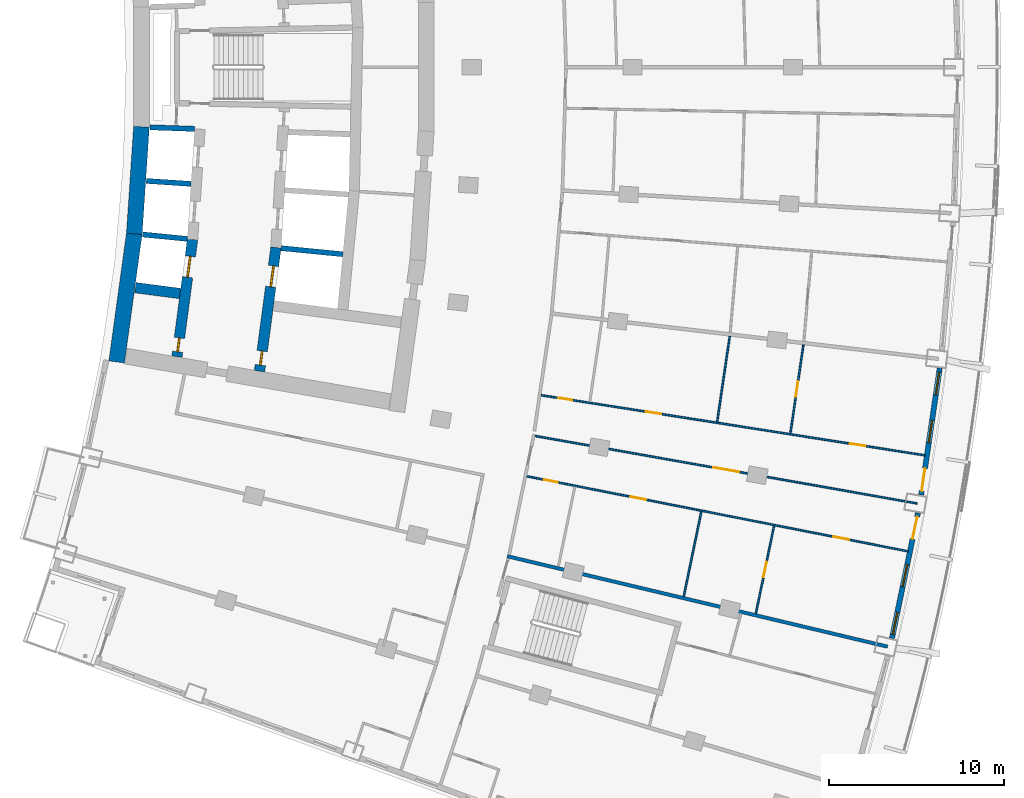
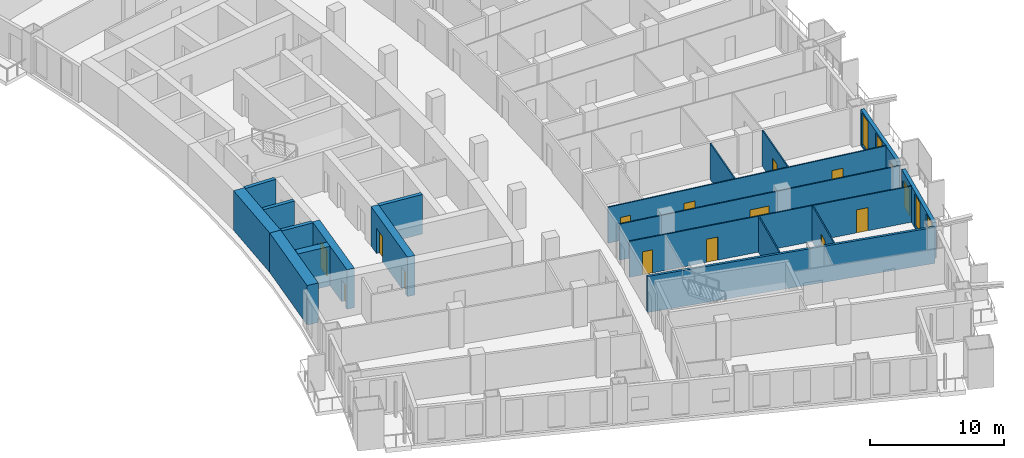
# One storey, part 15 of 25: 19 walls, 15 doors, 4 windows, 19 openings.
"""IFC4 building model written with IfcOpenShell, lengths in metres."""

from ifc_helpers import new_model, si_unit, direction, frame, frame_2d, origin, place, context, subcontext, project, spatial, rectangle, extrude, material, layer, layer_set, type_object, element, fill, save


model = new_model("IFC4")

# Units and contexts
model_context = context("Model", 3, precision=1e-05, world=origin(), true_north=direction((0.0, 1.0)))
body_context = subcontext(model_context, "Body", "Model", "MODEL_VIEW")
ifc_project = project(units=[si_unit("LENGTHUNIT", "METRE"), si_unit("AREAUNIT", "SQUARE_METRE"), si_unit("VOLUMEUNIT", "CUBIC_METRE"), si_unit("PLANEANGLEUNIT", "RADIAN"), si_unit("MASSUNIT", "GRAM", prefix="KILO")], contexts=[model_context])

# Site, building, storey
site_placement = place(None, origin())
site = spatial("IfcSite", under=ifc_project, at=site_placement, CompositionType="ELEMENT")
building_placement = place(site_placement, origin())
building = spatial("IfcBuilding", under=site, at=building_placement, Name="Alderwake Tower", CompositionType="ELEMENT")
storey_placement = place(building_placement, frame((0.0, 0.0, 35.60009765625)))
storey = spatial("IfcBuildingStorey", under=building, at=storey_placement, Name="L07", CompositionType="ELEMENT", Elevation=35.60009765625)

# Walls
ifc_material_1 = material(Name="Concrete C70/85", Category="concrete")
ifc_layer_1 = layer(ifc_material_1, 0.89990234375)
ifc_layer_set_1 = layer_set([ifc_layer_1], Name="Core wall outer 900 C70-85")
wall_type_1 = type_object("IfcWallType", Name="Core wall outer 900 C70-85", PredefinedType="SHEAR", material=ifc_layer_set_1)
wall_1_placement = place(storey_placement, frame((15.46923828125, 44.1201171875, 0.0), z_axis=(0.0, 0.0, 1.0), x_axis=(0.136337234661, 0.990662484626, 0.0)))
element("IfcWall", 1, at=wall_1_placement, inside=storey, type_object=wall_type_1, Name="Core wall CW.042", PredefinedType="SHEAR", context=body_context, shape_type="SweptSolid", body=[
    extrude(rectangle(XDim=7.431396484375, YDim=0.89990234375, at=frame_2d((3.7158203125, 0.0))), origin(), (0.0, 0.0, 1.0), 3.599853515625),
])
wall_2_placement = place(storey_placement, frame((16.47900390625, 51.449951171875, 0.0), z_axis=(0.0, 0.0, 1.0), x_axis=(0.06689316208, 0.997760143956, 0.0)))
element("IfcWall", 2, at=wall_2_placement, inside=storey, type_object=wall_type_1, Name="Core wall CW.041", PredefinedType="SHEAR", context=body_context, shape_type="SweptSolid", body=[
    extrude(rectangle(XDim=6.149658203125, YDim=0.89990234375, at=frame_2d((3.07470703125, 0.0))), origin(), (0.0, 0.0, 1.0), 3.599853515625),
])
ifc_material_2 = material(Name="Concrete C70/85", Category="concrete")
ifc_layer_2 = layer(ifc_material_2, 0.300048828125)
ifc_layer_set_2 = layer_set([ifc_layer_2], Name="Core wall shaft 300 C70-85")
wall_type_2 = type_object("IfcWallType", Name="Core wall shaft 300 C70-85", PredefinedType="SHEAR", material=ifc_layer_set_2)
wall_3_placement = place(storey_placement, frame((16.9580078125, 51.4189453125, 0.0), z_axis=(0.0, 0.0, 1.0), x_axis=(0.995153154577, -0.098337169657, 0.0)))
element("IfcWall", 3, at=wall_3_placement, inside=storey, type_object=wall_type_2, Name="Core wall CW.065", PredefinedType="SHEAR", context=body_context, shape_type="SweptSolid", body=[
    extrude(rectangle(XDim=2.569580078125, YDim=0.300048828125, at=frame_2d((1.28466796875, 0.0))), origin(), (0.0, 0.0, 1.0), 3.599853515625),
])
wall_4_placement = place(storey_placement, frame((24.889404296875, 50.635009765625, 0.0), z_axis=(0.0, 0.0, 1.0), x_axis=(0.995157756799, -0.098290584916, 0.0)))
element("IfcWall", 4, at=wall_4_placement, inside=storey, type_object=wall_type_2, Name="Core wall CW.066", PredefinedType="SHEAR", context=body_context, shape_type="SweptSolid", body=[
    extrude(rectangle(XDim=3.546875, YDim=0.300048828125, at=frame_2d((1.7734375, 0.0))), origin(), (0.0, 0.0, 1.0), 3.599853515625),
])
wall_5_placement = place(storey_placement, frame((17.16357421875, 54.486083984375, 0.0), z_axis=(0.0, 0.0, 1.0), x_axis=(0.997758581961, -0.066916456292, 0.0)))
element("IfcWall", 5, at=wall_5_placement, inside=storey, type_object=wall_type_2, Name="Core wall CW.079", PredefinedType="SHEAR", context=body_context, shape_type="SweptSolid", body=[
    extrude(rectangle(XDim=2.568603515625, YDim=0.300048828125, at=frame_2d((1.2841796875, 0.0))), origin(), (0.0, 0.0, 1.0), 3.599853515625),
])
wall_6_placement = place(storey_placement, frame((17.369140625, 57.553466796875, 0.0), z_axis=(0.0, 0.0, 1.0), x_axis=(0.99937189907, -0.035437372217, 0.0)))
element("IfcWall", 6, at=wall_6_placement, inside=storey, type_object=wall_type_2, Name="Core wall CW.076", PredefinedType="SHEAR", context=body_context, shape_type="SweptSolid", body=[
    extrude(rectangle(XDim=2.56982421875, YDim=0.300048828125, at=frame_2d((1.284912109375, 0.0))), origin(), (0.0, 0.0, 1.0), 3.599853515625),
])

# Wall, openings, doors
ifc_material_3 = material(Name="Concrete C70/85", Category="concrete")
ifc_layer_3 = layer(ifc_material_3, 0.60009765625)
ifc_layer_set_3 = layer_set([ifc_layer_3], Name="Core wall spine 600 C70-85")
wall_type_3 = type_object("IfcWallType", Name="Core wall spine 600 C70-85", PredefinedType="SHEAR", material=ifc_layer_set_3)
wall_7_placement = place(storey_placement, frame((19.815185546875, 51.14697265625, 0.0), z_axis=(0.0, 0.0, 1.0), x_axis=(-0.131854836214, -0.991269036219, 0.0)))
wall_7 = element("IfcWall", 7, at=wall_7_placement, inside=storey, type_object=wall_type_3, Name="Core wall CW.033", PredefinedType="SHEAR", context=body_context, shape_type="SweptSolid", body=[
    extrude(rectangle(XDim=6.782470703125, YDim=0.60009765625, at=frame_2d((3.39111328125, 0.0))), origin(), (0.0, 0.0, 1.0), 3.599853515625),
])
opening_1_placement = place(wall_7_placement, frame((0.9921875, 0.0, 0.0)))
opening_1 = element("IfcOpeningElement", 8, at=opening_1_placement, cuts=wall_7, Name="Opening LD-LP1", PredefinedType="OPENING", context=body_context, shape_type="SweptSolid", body=[
    extrude(rectangle(XDim=1.199951171875, YDim=2.300048828125, at=frame_2d((0.60009765625, 1.14990234375))), frame((0.0, 0.31005859375, 0.0), z_axis=(0.0, -1.0, 0.0), x_axis=(1.0, 0.0, 0.0)), (0.0, 0.0, 1.0), 0.6201171875),
])
opening_2_placement = place(wall_7_placement, frame((5.699951171875, 0.0, 0.0)))
opening_2 = element("IfcOpeningElement", 9, at=opening_2_placement, cuts=wall_7, Name="Opening C007", PredefinedType="OPENING", context=body_context, shape_type="SweptSolid", body=[
    extrude(rectangle(XDim=0.800048828125, YDim=2.0, at=frame_2d((0.39990234375, 1.0))), frame((0.0, 0.31005859375, 0.0), z_axis=(0.0, -1.0, 0.0), x_axis=(1.0, 0.0, 0.0)), (0.0, 0.0, 1.0), 0.6201171875),
])
ifc_material_4 = material(Name="Stainless steel sliding leaf", Category="steel")
door_type_1 = type_object("IfcDoorType", Name="Lift landing door 1200", OperationType="SLIDING_TO_LEFT", PredefinedType="DOOR", material=ifc_material_4)
door_1_placement = place(opening_1_placement, origin())
door_1 = element("IfcDoor", 10, at=door_1_placement, inside=storey, type_object=door_type_1, Name="Lift landing door LP1", OperationType="SLIDING_TO_LEFT", OverallHeight=2.300048828125, OverallWidth=1.199951171875, PredefinedType="DOOR", context=body_context, shape_type="SweptSolid", body=[
    extrude(rectangle(XDim=1.199951171875, YDim=2.300048828125, at=frame_2d((0.60009765625, 1.14990234375))), frame((0.0, 0.050048828125, 0.0), z_axis=(0.0, -1.0, 0.0), x_axis=(1.0, 0.0, 0.0)), (0.0, 0.0, 1.0), 0.10009765625),
])
fill(opening_1, door_1)
ifc_material_5 = material(Name="Painted steel leaf, rated", Category="steel")
door_type_2 = type_object("IfcDoorType", Name="Riser access door 800", OperationType="SINGLE_SWING_LEFT", PredefinedType="DOOR", material=ifc_material_5)
door_2_placement = place(opening_2_placement, origin())
door_2 = element("IfcDoor", 11, at=door_2_placement, inside=storey, type_object=door_type_2, Name="Riser access door", OperationType="SINGLE_SWING_LEFT", OverallHeight=2.0, OverallWidth=0.800048828125, PredefinedType="DOOR", context=body_context, shape_type="SweptSolid", body=[
    extrude(rectangle(XDim=0.800048828125, YDim=2.0, at=frame_2d((0.39990234375, 1.0))), frame((0.0, 0.050048828125, 0.0), z_axis=(0.0, -1.0, 0.0), x_axis=(1.0, 0.0, 0.0)), (0.0, 0.0, 1.0), 0.10009765625),
])
fill(opening_2, door_2)

wall_8_placement = place(storey_placement, frame((23.647705078125, 43.588134765625, 0.0), z_axis=(0.0, 0.0, 1.0), x_axis=(0.132069785658, 0.991240420744, 0.0)))
wall_8 = element("IfcWall", 12, at=wall_8_placement, inside=storey, type_object=wall_type_3, Name="Core wall CW.047", PredefinedType="SHEAR", context=body_context, shape_type="SweptSolid", body=[
    extrude(rectangle(XDim=7.150390625, YDim=0.60009765625, at=frame_2d((3.5751953125, 0.0))), origin(), (0.0, 0.0, 1.0), 3.599853515625),
])
opening_3_placement = place(wall_8_placement, frame((4.88134765625, 0.0, 0.0)))
opening_3 = element("IfcOpeningElement", 13, at=opening_3_placement, cuts=wall_8, Name="Opening LD-LP4", PredefinedType="OPENING", context=body_context, shape_type="SweptSolid", body=[
    extrude(rectangle(XDim=1.199951171875, YDim=2.300048828125, at=frame_2d((0.60009765625, 1.14990234375))), frame((0.0, 0.31005859375, 0.0), z_axis=(0.0, -1.0, 0.0), x_axis=(1.0, 0.0, 0.0)), (0.0, 0.0, 1.0), 0.6201171875),
])
opening_4_placement = place(wall_8_placement, frame((0.35791015625, 0.0, 0.0)))
opening_4 = element("IfcOpeningElement", 14, at=opening_4_placement, cuts=wall_8, Name="Opening C014", PredefinedType="OPENING", context=body_context, shape_type="SweptSolid", body=[
    extrude(rectangle(XDim=0.800048828125, YDim=2.0, at=frame_2d((0.39990234375, 1.0))), frame((0.0, 0.31005859375, 0.0), z_axis=(0.0, -1.0, 0.0), x_axis=(1.0, 0.0, 0.0)), (0.0, 0.0, 1.0), 0.6201171875),
])
door_3_placement = place(opening_3_placement, origin())
door_3 = element("IfcDoor", 15, at=door_3_placement, inside=storey, type_object=door_type_1, Name="Lift landing door LP4", OperationType="SLIDING_TO_LEFT", OverallHeight=2.300048828125, OverallWidth=1.199951171875, PredefinedType="DOOR", context=body_context, shape_type="SweptSolid", body=[
    extrude(rectangle(XDim=1.199951171875, YDim=2.300048828125, at=frame_2d((0.60009765625, 1.14990234375))), frame((0.0, 0.050048828125, 0.0), z_axis=(0.0, -1.0, 0.0), x_axis=(1.0, 0.0, 0.0)), (0.0, 0.0, 1.0), 0.10009765625),
])
fill(opening_3, door_3)
door_4_placement = place(opening_4_placement, origin())
door_4 = element("IfcDoor", 16, at=door_4_placement, inside=storey, type_object=door_type_2, Name="Riser access door", OperationType="SINGLE_SWING_RIGHT", OverallHeight=2.0, OverallWidth=0.800048828125, PredefinedType="DOOR", context=body_context, shape_type="SweptSolid", body=[
    extrude(rectangle(XDim=0.800048828125, YDim=2.0, at=frame_2d((0.39990234375, 1.0))), frame((0.0, 0.050048828125, 0.0), z_axis=(0.0, -1.0, 0.0), x_axis=(1.0, 0.0, 0.0)), (0.0, 0.0, 1.0), 0.10009765625),
])
fill(opening_4, door_4)

# Wall
wall_9_placement = place(storey_placement, frame((16.5390625, 48.373291015625, 0.0), z_axis=(0.0, 0.0, 1.0), x_axis=(0.99156081818, -0.129642369037, 0.0)))
element("IfcWall", 17, at=wall_9_placement, inside=storey, type_object=wall_type_3, Name="Core wall CW.067", PredefinedType="SHEAR", context=body_context, shape_type="SweptSolid", body=[
    extrude(rectangle(XDim=2.581787109375, YDim=0.60009765625, at=frame_2d((1.291015625, 0.0))), origin(), (0.0, 0.0, 1.0), 3.599853515625),
])

# Wall, openings, door, windows
ifc_material_6 = material(Name="Precast concrete C50/60 spandrel panel", Category="concrete")
ifc_layer_4 = layer(ifc_material_6, 0.300048828125)
ifc_layer_set_4 = layer_set([ifc_layer_4], Name="External wall EW1 Precast concrete C50/60 spandrel")
wall_type_4 = type_object("IfcWallType", Name="External wall EW1 Precast concrete C50/60 spandrel", PredefinedType="SOLIDWALL", material=ifc_layer_set_4)
wall_10_placement = place(storey_placement, frame((59.863525390625, 28.298583984375, 0.0), z_axis=(0.0, 0.0, 1.0), x_axis=(0.202760911141, 0.979228274159, 0.0)))
wall_10 = element("IfcWall", 18, at=wall_10_placement, inside=storey, type_object=wall_type_4, Name="External wall 13", PredefinedType="SOLIDWALL", context=body_context, shape_type="SweptSolid", body=[
    extrude(rectangle(XDim=7.329345703125, YDim=0.300048828125, at=frame_2d((3.66455078125, 0.0))), origin(), (0.0, 0.0, 1.0), 3.27978515625),
])
opening_5_placement = place(wall_10_placement, frame((0.226806640625, 0.0, 0.199951171875)))
opening_5 = element("IfcOpeningElement", 19, at=opening_5_placement, cuts=wall_10, Name="Opening W1", PredefinedType="OPENING", context=body_context, shape_type="SweptSolid", body=[
    extrude(rectangle(XDim=1.300048828125, YDim=2.89990234375, at=frame_2d((0.64990234375, 1.449951171875))), frame((0.0, 0.159912109375, 0.0), z_axis=(0.0, -1.0, 0.0), x_axis=(1.0, 0.0, 0.0)), (0.0, 0.0, 1.0), 0.320068359375),
])
opening_6_placement = place(wall_10_placement, frame((3.0146484375, 0.0, 0.199951171875)))
opening_6 = element("IfcOpeningElement", 20, at=opening_6_placement, cuts=wall_10, Name="Opening W1", PredefinedType="OPENING", context=body_context, shape_type="SweptSolid", body=[
    extrude(rectangle(XDim=1.300048828125, YDim=2.89990234375, at=frame_2d((0.64990234375, 1.449951171875))), frame((0.0, 0.159912109375, 0.0), z_axis=(0.0, -1.0, 0.0), x_axis=(1.0, 0.0, 0.0)), (0.0, 0.0, 1.0), 0.320068359375),
])
opening_7_placement = place(wall_10_placement, frame((5.802490234375, 0.0, 0.0)))
opening_7 = element("IfcOpeningElement", 21, at=opening_7_placement, cuts=wall_10, Name="Opening D04", PredefinedType="OPENING", context=body_context, shape_type="SweptSolid", body=[
    extrude(rectangle(XDim=1.300048828125, YDim=2.39990234375, at=frame_2d((0.64990234375, 1.199951171875))), frame((0.0, 0.159912109375, 0.0), z_axis=(0.0, -1.0, 0.0), x_axis=(1.0, 0.0, 0.0)), (0.0, 0.0, 1.0), 0.320068359375),
])
ifc_material_7 = material(Name="Bronze tinted glass in aluminium frame", Category="aluminium")
door_type_3 = type_object("IfcDoorType", Name="Balcony door BD sliding", OperationType="SLIDING_TO_LEFT", PredefinedType="DOOR", material=ifc_material_7)
door_5_placement = place(opening_7_placement, origin())
door_5 = element("IfcDoor", 22, at=door_5_placement, inside=storey, type_object=door_type_3, Name="Door D04", OperationType="SLIDING_TO_LEFT", OverallHeight=2.39990234375, OverallWidth=1.300048828125, PredefinedType="DOOR", context=body_context, shape_type="SweptSolid", body=[
    extrude(rectangle(XDim=1.300048828125, YDim=2.39990234375, at=frame_2d((0.64990234375, 1.199951171875))), frame((0.0, 0.02490234375, 0.0), z_axis=(0.0, -1.0, 0.0), x_axis=(1.0, 0.0, 0.0)), (0.0, 0.0, 1.0), 0.050048828125),
])
fill(opening_7, door_5)
ifc_material_8 = material(Name="Bronze tinted glass in aluminium frame", Category="aluminium")
window_type = type_object("IfcWindowType", Name="Window W1 tall fixed and vent", PartitioningType="DOUBLE_PANEL_VERTICAL", PredefinedType="WINDOW", material=ifc_material_8)
window_1_placement = place(opening_5_placement, origin())
window_1 = element("IfcWindow", 23, at=window_1_placement, inside=storey, type_object=window_type, Name="Window W1 tall fixed and vent", OverallHeight=2.89990234375, OverallWidth=1.300048828125, PartitioningType="DOUBLE_PANEL_VERTICAL", PredefinedType="WINDOW", context=body_context, shape_type="SweptSolid", body=[
    extrude(rectangle(XDim=1.300048828125, YDim=2.89990234375, at=frame_2d((0.64990234375, 1.449951171875))), frame((0.0, 0.030029296875, 0.0), z_axis=(0.0, -1.0, 0.0), x_axis=(1.0, 0.0, 0.0)), (0.0, 0.0, 1.0), 0.06005859375),
])
fill(opening_5, window_1)
window_2_placement = place(opening_6_placement, origin())
window_2 = element("IfcWindow", 24, at=window_2_placement, inside=storey, type_object=window_type, Name="Window W1 tall fixed and vent", OverallHeight=2.89990234375, OverallWidth=1.300048828125, PartitioningType="DOUBLE_PANEL_VERTICAL", PredefinedType="WINDOW", context=body_context, shape_type="SweptSolid", body=[
    extrude(rectangle(XDim=1.300048828125, YDim=2.89990234375, at=frame_2d((0.64990234375, 1.449951171875))), frame((0.0, 0.030029296875, 0.0), z_axis=(0.0, -1.0, 0.0), x_axis=(1.0, 0.0, 0.0)), (0.0, 0.0, 1.0), 0.06005859375),
])
fill(opening_6, window_2)

wall_11_placement = place(storey_placement, frame((61.5322265625, 36.50830078125, 0.0), z_axis=(0.0, 0.0, 1.0), x_axis=(0.145300273639, 0.989387603763, 0.0)))
wall_11 = element("IfcWall", 25, at=wall_11_placement, inside=storey, type_object=wall_type_4, Name="External wall 14", PredefinedType="SOLIDWALL", context=body_context, shape_type="SweptSolid", body=[
    extrude(rectangle(XDim=7.329345703125, YDim=0.300048828125, at=frame_2d((3.66455078125, 0.0))), origin(), (0.0, 0.0, 1.0), 3.27978515625),
])
opening_8_placement = place(wall_11_placement, frame((0.226806640625, 0.0, 0.0)))
opening_8 = element("IfcOpeningElement", 26, at=opening_8_placement, cuts=wall_11, Name="Opening D05", PredefinedType="OPENING", context=body_context, shape_type="SweptSolid", body=[
    extrude(rectangle(XDim=1.300048828125, YDim=2.39990234375, at=frame_2d((0.64990234375, 1.199951171875))), frame((0.0, 0.159912109375, 0.0), z_axis=(0.0, -1.0, 0.0), x_axis=(1.0, 0.0, 0.0)), (0.0, 0.0, 1.0), 0.320068359375),
])
opening_9_placement = place(wall_11_placement, frame((3.0146484375, 0.0, 0.199951171875)))
opening_9 = element("IfcOpeningElement", 27, at=opening_9_placement, cuts=wall_11, Name="Opening W1", PredefinedType="OPENING", context=body_context, shape_type="SweptSolid", body=[
    extrude(rectangle(XDim=1.300048828125, YDim=2.89990234375, at=frame_2d((0.64990234375, 1.449951171875))), frame((0.0, 0.159912109375, 0.0), z_axis=(0.0, -1.0, 0.0), x_axis=(1.0, 0.0, 0.0)), (0.0, 0.0, 1.0), 0.320068359375),
])
opening_10_placement = place(wall_11_placement, frame((5.802490234375, 0.0, 0.199951171875)))
opening_10 = element("IfcOpeningElement", 28, at=opening_10_placement, cuts=wall_11, Name="Opening W1", PredefinedType="OPENING", context=body_context, shape_type="SweptSolid", body=[
    extrude(rectangle(XDim=1.300048828125, YDim=2.89990234375, at=frame_2d((0.64990234375, 1.449951171875))), frame((0.0, 0.159912109375, 0.0), z_axis=(0.0, -1.0, 0.0), x_axis=(1.0, 0.0, 0.0)), (0.0, 0.0, 1.0), 0.320068359375),
])
door_6_placement = place(opening_8_placement, origin())
door_6 = element("IfcDoor", 29, at=door_6_placement, inside=storey, type_object=door_type_3, Name="Door D05", OperationType="SLIDING_TO_LEFT", OverallHeight=2.39990234375, OverallWidth=1.300048828125, PredefinedType="DOOR", context=body_context, shape_type="SweptSolid", body=[
    extrude(rectangle(XDim=1.300048828125, YDim=2.39990234375, at=frame_2d((0.64990234375, 1.199951171875))), frame((0.0, 0.02490234375, 0.0), z_axis=(0.0, -1.0, 0.0), x_axis=(1.0, 0.0, 0.0)), (0.0, 0.0, 1.0), 0.050048828125),
])
fill(opening_8, door_6)
window_3_placement = place(opening_9_placement, origin())
window_3 = element("IfcWindow", 30, at=window_3_placement, inside=storey, type_object=window_type, Name="Window W1 tall fixed and vent", OverallHeight=2.89990234375, OverallWidth=1.300048828125, PartitioningType="DOUBLE_PANEL_VERTICAL", PredefinedType="WINDOW", context=body_context, shape_type="SweptSolid", body=[
    extrude(rectangle(XDim=1.300048828125, YDim=2.89990234375, at=frame_2d((0.64990234375, 1.449951171875))), frame((0.0, 0.030029296875, 0.0), z_axis=(0.0, -1.0, 0.0), x_axis=(1.0, 0.0, 0.0)), (0.0, 0.0, 1.0), 0.06005859375),
])
fill(opening_9, window_3)
window_4_placement = place(opening_10_placement, origin())
window_4 = element("IfcWindow", 31, at=window_4_placement, inside=storey, type_object=window_type, Name="Window W1 tall fixed and vent", OverallHeight=2.89990234375, OverallWidth=1.300048828125, PartitioningType="DOUBLE_PANEL_VERTICAL", PredefinedType="WINDOW", context=body_context, shape_type="SweptSolid", body=[
    extrude(rectangle(XDim=1.300048828125, YDim=2.89990234375, at=frame_2d((0.64990234375, 1.449951171875))), frame((0.0, 0.030029296875, 0.0), z_axis=(0.0, -1.0, 0.0), x_axis=(1.0, 0.0, 0.0)), (0.0, 0.0, 1.0), 0.06005859375),
])
fill(opening_10, window_4)

# Wall
ifc_material_9 = material(Name="Dense block masonry wall", Category="masonry")
ifc_layer_5 = layer(ifc_material_9, 0.199951171875)
ifc_layer_set_5 = layer_set([ifc_layer_5], Name="Party wall 200")
wall_type_5 = type_object("IfcWallType", Name="Party wall 200", PredefinedType="SOLIDWALL", material=ifc_layer_set_5)
wall_12_placement = place(storey_placement, frame((37.839111328125, 32.994384765625, 0.0), z_axis=(0.0, 0.0, 1.0), x_axis=(0.972889498583, -0.231270455413, 0.0)))
element("IfcWall", 32, at=wall_12_placement, inside=storey, type_object=wall_type_5, Name="WL/L07/W06", PredefinedType="SOLIDWALL", context=body_context, shape_type="SweptSolid", body=[
    extrude(rectangle(XDim=22.377685546875, YDim=0.199951171875, at=frame_2d((11.18896484375, 0.0))), origin(), (0.0, 0.0, 1.0), 3.27978515625),
])

# Wall, openings, doors
ifc_material_10 = material(Name="Gypsum board on metal studs")
ifc_layer_6 = layer(ifc_material_10, 0.10009765625)
ifc_layer_set_6 = layer_set([ifc_layer_6], Name="Unit partition 100")
wall_type_6 = type_object("IfcWallType", Name="Unit partition 100", PredefinedType="PARTITIONING", material=ifc_layer_set_6)
wall_13_placement = place(storey_placement, frame((60.7919921875, 33.27294921875, 0.0), z_axis=(0.0, 0.0, 1.0), x_axis=(-0.981155109333, 0.193221767482, 0.0)))
wall_13 = element("IfcWall", 33, at=wall_13_placement, inside=storey, type_object=wall_type_6, Name="WL/L07/W66", PredefinedType="PARTITIONING", context=body_context, shape_type="SweptSolid", body=[
    extrude(rectangle(XDim=22.261962890625, YDim=0.10009765625, at=frame_2d((11.130859375, 0.0))), origin(), (0.0, 0.0, 1.0), 3.27978515625),
])
opening_11_placement = place(wall_13_placement, frame((15.302978515625, 0.0, 0.0)))
opening_11 = element("IfcOpeningElement", 34, at=opening_11_placement, cuts=wall_13, Name="Opening R01-U05.1", PredefinedType="OPENING", context=body_context, shape_type="SweptSolid", body=[
    extrude(rectangle(XDim=0.89990234375, YDim=2.10009765625, at=frame_2d((0.449951171875, 1.050048828125))), frame((0.0, 0.06005859375, 0.0), z_axis=(0.0, -1.0, 0.0), x_axis=(1.0, 0.0, 0.0)), (0.0, 0.0, 1.0), 0.1201171875),
])
opening_12_placement = place(wall_13_placement, frame((20.45263671875, 0.0, 0.0)))
opening_12 = element("IfcOpeningElement", 35, at=opening_12_placement, cuts=wall_13, Name="Opening R01-U05.4", PredefinedType="OPENING", context=body_context, shape_type="SweptSolid", body=[
    extrude(rectangle(XDim=0.800048828125, YDim=2.10009765625, at=frame_2d((0.39990234375, 1.050048828125))), frame((0.0, 0.06005859375, 0.0), z_axis=(0.0, -1.0, 0.0), x_axis=(1.0, 0.0, 0.0)), (0.0, 0.0, 1.0), 0.1201171875),
])
opening_13_placement = place(wall_13_placement, frame((3.459716796875, 0.0, 0.0)))
opening_13 = element("IfcOpeningElement", 36, at=opening_13_placement, cuts=wall_13, Name="Opening R01-U05.5", PredefinedType="OPENING", context=body_context, shape_type="SweptSolid", body=[
    extrude(rectangle(XDim=0.89990234375, YDim=2.10009765625, at=frame_2d((0.449951171875, 1.050048828125))), frame((0.0, 0.06005859375, 0.0), z_axis=(0.0, -1.0, 0.0), x_axis=(1.0, 0.0, 0.0)), (0.0, 0.0, 1.0), 0.1201171875),
])
ifc_material_11 = material(Name="Painted timber leaf", Category="wood")
door_type_4 = type_object("IfcDoorType", Name="Bathroom door 800", OperationType="SINGLE_SWING_LEFT", PredefinedType="DOOR", material=ifc_material_11)
door_7_placement = place(opening_12_placement, origin())
door_7 = element("IfcDoor", 37, at=door_7_placement, inside=storey, type_object=door_type_4, Name="DR/L07/U05.4", OperationType="SINGLE_SWING_LEFT", OverallHeight=2.10009765625, OverallWidth=0.800048828125, PredefinedType="DOOR", context=body_context, shape_type="SweptSolid", body=[
    extrude(rectangle(XDim=0.800048828125, YDim=2.10009765625, at=frame_2d((0.39990234375, 1.050048828125))), frame((0.0, 0.02490234375, 0.0), z_axis=(0.0, -1.0, 0.0), x_axis=(1.0, 0.0, 0.0)), (0.0, 0.0, 1.0), 0.050048828125),
])
fill(opening_12, door_7)
ifc_material_12 = material(Name="Painted timber leaf", Category="wood")
door_type_5 = type_object("IfcDoorType", Name="Room door 900", OperationType="SINGLE_SWING_LEFT", PredefinedType="DOOR", material=ifc_material_12)
door_8_placement = place(opening_11_placement, origin())
door_8 = element("IfcDoor", 38, at=door_8_placement, inside=storey, type_object=door_type_5, Name="DR/L07/U05.1", OperationType="SINGLE_SWING_LEFT", OverallHeight=2.10009765625, OverallWidth=0.89990234375, PredefinedType="DOOR", context=body_context, shape_type="SweptSolid", body=[
    extrude(rectangle(XDim=0.89990234375, YDim=2.10009765625, at=frame_2d((0.449951171875, 1.050048828125))), frame((0.0, 0.02490234375, 0.0), z_axis=(0.0, -1.0, 0.0), x_axis=(1.0, 0.0, 0.0)), (0.0, 0.0, 1.0), 0.050048828125),
])
fill(opening_11, door_8)
door_9_placement = place(opening_13_placement, origin())
door_9 = element("IfcDoor", 39, at=door_9_placement, inside=storey, type_object=door_type_5, Name="DR/L07/U05.5", OperationType="SINGLE_SWING_LEFT", OverallHeight=2.10009765625, OverallWidth=0.89990234375, PredefinedType="DOOR", context=body_context, shape_type="SweptSolid", body=[
    extrude(rectangle(XDim=0.89990234375, YDim=2.10009765625, at=frame_2d((0.449951171875, 1.050048828125))), frame((0.0, 0.02490234375, 0.0), z_axis=(0.0, -1.0, 0.0), x_axis=(1.0, 0.0, 0.0)), (0.0, 0.0, 1.0), 0.050048828125),
])
fill(opening_13, door_9)

wall_14_placement = place(storey_placement, frame((39.76904296875, 42.215576171875, 0.0), z_axis=(0.0, 0.0, 1.0), x_axis=(0.987944564684, -0.154808065397, 0.0)))
wall_14 = element("IfcWall", 40, at=wall_14_placement, inside=storey, type_object=wall_type_6, Name="WL/L07/W67", PredefinedType="PARTITIONING", context=body_context, shape_type="SweptSolid", body=[
    extrude(rectangle(XDim=22.26318359375, YDim=0.10009765625, at=frame_2d((11.131591796875, 0.0))), origin(), (0.0, 0.0, 1.0), 3.27978515625),
])
opening_14_placement = place(wall_14_placement, frame((6.06005859375, 0.0, 0.0)))
opening_14 = element("IfcOpeningElement", 41, at=opening_14_placement, cuts=wall_14, Name="Opening R01-U05.6", PredefinedType="OPENING", context=body_context, shape_type="SweptSolid", body=[
    extrude(rectangle(XDim=0.89990234375, YDim=2.10009765625, at=frame_2d((0.449951171875, 1.050048828125))), frame((0.0, 0.06005859375, 0.0), z_axis=(0.0, -1.0, 0.0), x_axis=(1.0, 0.0, 0.0)), (0.0, 0.0, 1.0), 0.1201171875),
])
opening_15_placement = place(wall_14_placement, frame((1.010009765625, 0.0, 0.0)))
opening_15 = element("IfcOpeningElement", 42, at=opening_15_placement, cuts=wall_14, Name="Opening R01-U05.7", PredefinedType="OPENING", context=body_context, shape_type="SweptSolid", body=[
    extrude(rectangle(XDim=0.800048828125, YDim=2.10009765625, at=frame_2d((0.39990234375, 1.050048828125))), frame((0.0, 0.06005859375, 0.0), z_axis=(0.0, -1.0, 0.0), x_axis=(1.0, 0.0, 0.0)), (0.0, 0.0, 1.0), 0.1201171875),
])
opening_16_placement = place(wall_14_placement, frame((17.90380859375, 0.0, 0.0)))
opening_16 = element("IfcOpeningElement", 43, at=opening_16_placement, cuts=wall_14, Name="Opening R01-U05.8", PredefinedType="OPENING", context=body_context, shape_type="SweptSolid", body=[
    extrude(rectangle(XDim=0.89990234375, YDim=2.10009765625, at=frame_2d((0.449951171875, 1.050048828125))), frame((0.0, 0.06005859375, 0.0), z_axis=(0.0, -1.0, 0.0), x_axis=(1.0, 0.0, 0.0)), (0.0, 0.0, 1.0), 0.1201171875),
])
door_10_placement = place(opening_15_placement, origin())
door_10 = element("IfcDoor", 44, at=door_10_placement, inside=storey, type_object=door_type_4, Name="DR/L07/U05.7", OperationType="SINGLE_SWING_LEFT", OverallHeight=2.10009765625, OverallWidth=0.800048828125, PredefinedType="DOOR", context=body_context, shape_type="SweptSolid", body=[
    extrude(rectangle(XDim=0.800048828125, YDim=2.10009765625, at=frame_2d((0.39990234375, 1.050048828125))), frame((0.0, 0.02490234375, 0.0), z_axis=(0.0, -1.0, 0.0), x_axis=(1.0, 0.0, 0.0)), (0.0, 0.0, 1.0), 0.050048828125),
])
fill(opening_15, door_10)
door_11_placement = place(opening_14_placement, origin())
door_11 = element("IfcDoor", 45, at=door_11_placement, inside=storey, type_object=door_type_5, Name="DR/L07/U05.6", OperationType="SINGLE_SWING_LEFT", OverallHeight=2.10009765625, OverallWidth=0.89990234375, PredefinedType="DOOR", context=body_context, shape_type="SweptSolid", body=[
    extrude(rectangle(XDim=0.89990234375, YDim=2.10009765625, at=frame_2d((0.449951171875, 1.050048828125))), frame((0.0, 0.02490234375, 0.0), z_axis=(0.0, -1.0, 0.0), x_axis=(1.0, 0.0, 0.0)), (0.0, 0.0, 1.0), 0.050048828125),
])
fill(opening_14, door_11)
door_12_placement = place(opening_16_placement, origin())
door_12 = element("IfcDoor", 46, at=door_12_placement, inside=storey, type_object=door_type_5, Name="DR/L07/U05.8", OperationType="SINGLE_SWING_LEFT", OverallHeight=2.10009765625, OverallWidth=0.89990234375, PredefinedType="DOOR", context=body_context, shape_type="SweptSolid", body=[
    extrude(rectangle(XDim=0.89990234375, YDim=2.10009765625, at=frame_2d((0.449951171875, 1.050048828125))), frame((0.0, 0.02490234375, 0.0), z_axis=(0.0, -1.0, 0.0), x_axis=(1.0, 0.0, 0.0)), (0.0, 0.0, 1.0), 0.050048828125),
])
fill(opening_16, door_12)

# Walls
wall_15_placement = place(storey_placement, frame((47.939208984375, 30.695068359375, 0.0), z_axis=(0.0, 0.0, 1.0), x_axis=(0.203007352499, 0.97917721319, 0.0)))
element("IfcWall", 47, at=wall_15_placement, inside=storey, type_object=wall_type_6, Name="WL/L07/W76", PredefinedType="PARTITIONING", context=body_context, shape_type="SweptSolid", body=[
    extrude(rectangle(XDim=4.963134765625, YDim=0.10009765625, at=frame_2d((2.4814453125, 0.0))), origin(), (0.0, 0.0, 1.0), 3.27978515625),
])
wall_16_placement = place(storey_placement, frame((49.852294921875, 40.6875, 0.0), z_axis=(0.0, 0.0, 1.0), x_axis=(0.145532233549, 0.989353510631, 0.0)))
element("IfcWall", 48, at=wall_16_placement, inside=storey, type_object=wall_type_6, Name="WL/L07/W77", PredefinedType="PARTITIONING", context=body_context, shape_type="SweptSolid", body=[
    extrude(rectangle(XDim=4.962158203125, YDim=0.10009765625, at=frame_2d((2.48095703125, 0.0))), origin(), (0.0, 0.0, 1.0), 3.27978515625),
])

# Wall, opening, door
wall_17_placement = place(storey_placement, frame((52.0703125, 29.714111328125, 0.0), z_axis=(0.0, 0.0, 1.0), x_axis=(0.202885788295, 0.979202408549, 0.0)))
wall_17 = element("IfcWall", 49, at=wall_17_placement, inside=storey, type_object=wall_type_6, Name="WL/L07/W84", PredefinedType="PARTITIONING", context=body_context, shape_type="SweptSolid", body=[
    extrude(rectangle(XDim=5.128662109375, YDim=0.10009765625, at=frame_2d((2.564453125, 0.0))), origin(), (0.0, 0.0, 1.0), 3.27978515625),
])
opening_17_placement = place(wall_17_placement, frame((2.114501953125, 0.0, 0.0)))
opening_17 = element("IfcOpeningElement", 50, at=opening_17_placement, cuts=wall_17, Name="Opening R01-U05.2", PredefinedType="OPENING", context=body_context, shape_type="SweptSolid", body=[
    extrude(rectangle(XDim=0.89990234375, YDim=2.10009765625, at=frame_2d((0.449951171875, 1.050048828125))), frame((0.0, 0.06005859375, 0.0), z_axis=(0.0, -1.0, 0.0), x_axis=(1.0, 0.0, 0.0)), (0.0, 0.0, 1.0), 0.1201171875),
])
door_13_placement = place(opening_17_placement, origin())
door_13 = element("IfcDoor", 51, at=door_13_placement, inside=storey, type_object=door_type_5, Name="DR/L07/U05.2", OperationType="SINGLE_SWING_LEFT", OverallHeight=2.10009765625, OverallWidth=0.89990234375, PredefinedType="DOOR", context=body_context, shape_type="SweptSolid", body=[
    extrude(rectangle(XDim=0.89990234375, YDim=2.10009765625, at=frame_2d((0.449951171875, 1.050048828125))), frame((0.0, 0.02490234375, 0.0), z_axis=(0.0, -1.0, 0.0), x_axis=(1.0, 0.0, 0.0)), (0.0, 0.0, 1.0), 0.050048828125),
])
fill(opening_17, door_13)

wall_18_placement = place(storey_placement, frame((54.04638671875, 40.027587890625, 0.0), z_axis=(0.0, 0.0, 1.0), x_axis=(0.145465212864, 0.989363366942, 0.0)))
wall_18 = element("IfcWall", 52, at=wall_18_placement, inside=storey, type_object=wall_type_6, Name="WL/L07/W85", PredefinedType="PARTITIONING", context=body_context, shape_type="SweptSolid", body=[
    extrude(rectangle(XDim=5.12890625, YDim=0.10009765625, at=frame_2d((2.564453125, 0.0))), origin(), (0.0, 0.0, 1.0), 3.27978515625),
])
opening_18_placement = place(wall_18_placement, frame((2.114501953125, 0.0, 0.0)))
opening_18 = element("IfcOpeningElement", 53, at=opening_18_placement, cuts=wall_18, Name="Opening R01-U05.9", PredefinedType="OPENING", context=body_context, shape_type="SweptSolid", body=[
    extrude(rectangle(XDim=0.89990234375, YDim=2.10009765625, at=frame_2d((0.449951171875, 1.050048828125))), frame((0.0, 0.06005859375, 0.0), z_axis=(0.0, -1.0, 0.0), x_axis=(1.0, 0.0, 0.0)), (0.0, 0.0, 1.0), 0.1201171875),
])
door_14_placement = place(opening_18_placement, origin())
door_14 = element("IfcDoor", 54, at=door_14_placement, inside=storey, type_object=door_type_5, Name="DR/L07/U05.9", OperationType="SINGLE_SWING_LEFT", OverallHeight=2.10009765625, OverallWidth=0.89990234375, PredefinedType="DOOR", context=body_context, shape_type="SweptSolid", body=[
    extrude(rectangle(XDim=0.89990234375, YDim=2.10009765625, at=frame_2d((0.449951171875, 1.050048828125))), frame((0.0, 0.02490234375, 0.0), z_axis=(0.0, -1.0, 0.0), x_axis=(1.0, 0.0, 0.0)), (0.0, 0.0, 1.0), 0.050048828125),
])
fill(opening_18, door_14)

wall_19_placement = place(storey_placement, frame((39.4267578125, 39.883056640625, 0.0), z_axis=(0.0, 0.0, 1.0), x_axis=(0.984731528724, -0.174079913653, 0.0)))
wall_19 = element("IfcWall", 55, at=wall_19_placement, inside=storey, type_object=wall_type_6, Name="WL/L07/W91", PredefinedType="PARTITIONING", context=body_context, shape_type="SweptSolid", body=[
    extrude(rectangle(XDim=22.220703125, YDim=0.10009765625, at=frame_2d((11.1103515625, 0.0))), origin(), (0.0, 0.0, 1.0), 3.27978515625),
])
opening_19_placement = place(wall_19_placement, frame((10.360107421875, 0.0, 0.0)))
opening_19 = element("IfcOpeningElement", 56, at=opening_19_placement, cuts=wall_19, Name="Opening R01-U05.10", PredefinedType="OPENING", context=body_context, shape_type="SweptSolid", body=[
    extrude(rectangle(XDim=1.5, YDim=2.10009765625, at=frame_2d((0.75, 1.050048828125))), frame((0.0, 0.06005859375, 0.0), z_axis=(0.0, -1.0, 0.0), x_axis=(1.0, 0.0, 0.0)), (0.0, 0.0, 1.0), 0.1201171875),
])
ifc_material_13 = material(Name="Painted timber leaves", Category="wood")
door_type_6 = type_object("IfcDoorType", Name="Double leaf door 1500", OperationType="DOUBLE_DOOR_SINGLE_SWING", PredefinedType="DOOR", material=ifc_material_13)
door_15_placement = place(opening_19_placement, origin())
door_15 = element("IfcDoor", 57, at=door_15_placement, inside=storey, type_object=door_type_6, Name="DR/L07/U05.10", OperationType="DOUBLE_DOOR_SINGLE_SWING", OverallHeight=2.10009765625, OverallWidth=1.5, PredefinedType="DOOR", context=body_context, shape_type="SweptSolid", body=[
    extrude(rectangle(XDim=1.5, YDim=2.10009765625, at=frame_2d((0.75, 1.050048828125))), frame((0.0, 0.02490234375, 0.0), z_axis=(0.0, -1.0, 0.0), x_axis=(1.0, 0.0, 0.0)), (0.0, 0.0, 1.0), 0.050048828125),
])
fill(opening_19, door_15)

save(model, "model.ifc")
